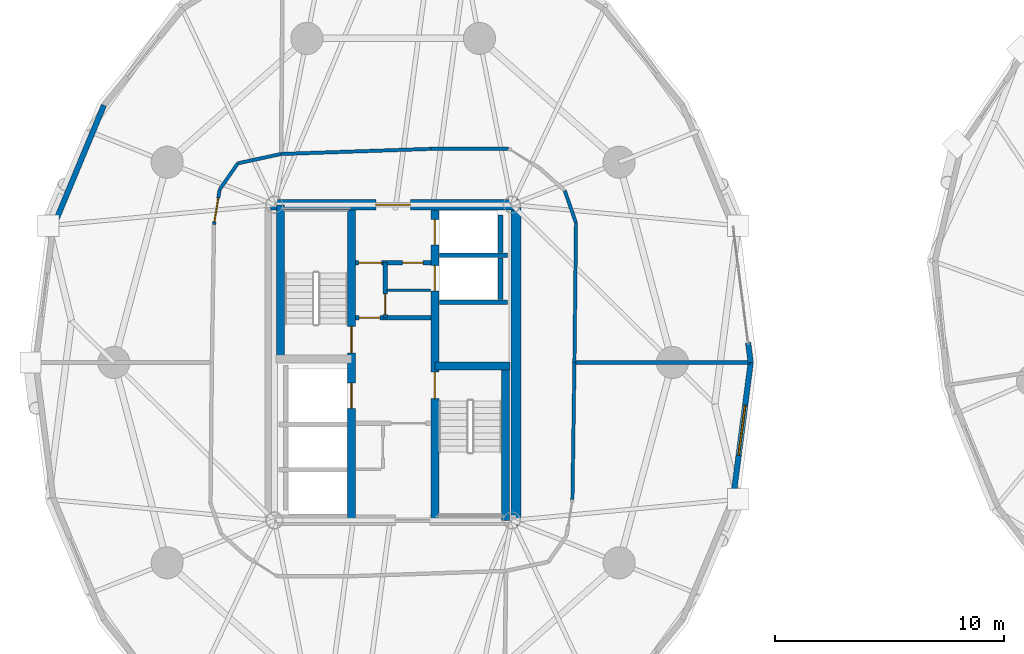
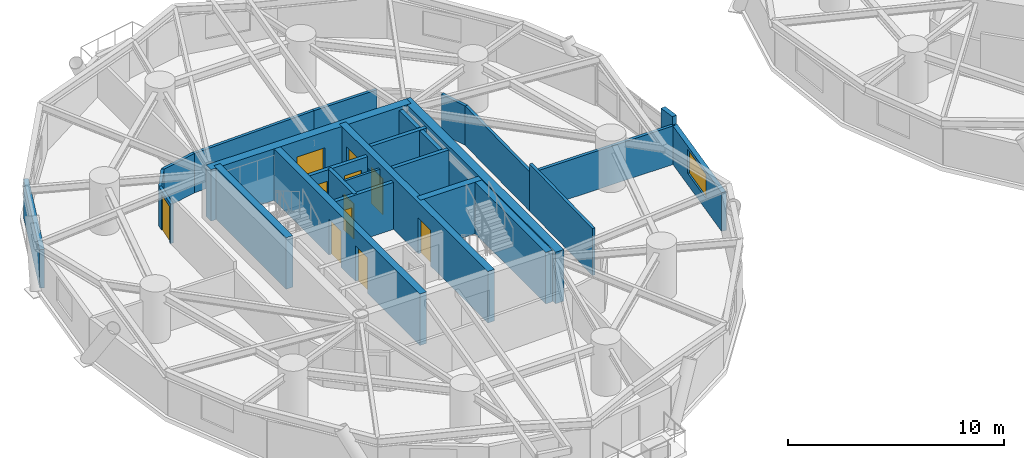
# One storey, part 11 of 18: 27 walls, 11 doors, 1 window, 12 openings.
"""IFC4 building model written with IfcOpenShell, lengths in metres."""

from ifc_helpers import new_model, si_unit, direction, frame, frame_2d, origin, place, context, subcontext, project, spatial, rectangle, extrude, source, transform, mapped, material, layer, layer_set, type_object, element, fill, save


model = new_model("IFC4")

# Units and contexts
model_context = context("Model", 3, precision=1e-05, world=origin(), true_north=direction((0.0, 1.0)))
body_context = subcontext(model_context, "Body", "Model", "MODEL_VIEW")
ifc_project = project(units=[si_unit("LENGTHUNIT", "METRE"), si_unit("AREAUNIT", "SQUARE_METRE"), si_unit("VOLUMEUNIT", "CUBIC_METRE"), si_unit("PLANEANGLEUNIT", "RADIAN"), si_unit("MASSUNIT", "GRAM", prefix="KILO")], contexts=[model_context])

# Site, building, storey
site_placement = place(None, origin())
site = spatial("IfcSite", under=ifc_project, at=site_placement, CompositionType="ELEMENT")
building_placement = place(site_placement, origin())
building = spatial("IfcBuilding", under=site, at=building_placement, Name="Cununo Teusaquillo Station Towers", CompositionType="ELEMENT")
storey_placement = place(building_placement, frame((0.0, 0.0, 75.969970703125)))
storey = spatial("IfcBuildingStorey", under=building, at=storey_placement, Name="L23", CompositionType="ELEMENT", Elevation=75.969970703125)

# Walls
ifc_material_1 = material(Name="Concrete C50/60", Category="concrete")
ifc_layer_1 = layer(ifc_material_1, 0.199951171875)
ifc_layer_set_1 = layer_set([ifc_layer_1], Name="Concrete C50/60")
wall_type_1 = type_object("IfcWallType", Name="WL-CORE-200", PredefinedType="SHEAR", material=ifc_layer_set_1)
for number, where, z_axis, x_axis, name in (
    (1, (18.510009765625, 27.1298828125, 0.0), (0.0, 0.0, 1.0), (1.0, 0.0, 0.0), "L23 Tower A Low-Rise Lift Hoistway South Shear Wall"),
    (2, (18.510009765625, 29.175048828125, 0.0), (0.0, 0.0, 1.0), (1.0, 0.0, 0.0), "L23 Tower A Low-Rise Lift Hoistway Divider Shear Wall"),
):
    element("IfcWall", number, at=place(storey_placement, frame(where, z_axis=z_axis, x_axis=x_axis)), inside=storey, type_object=wall_type_1, Name=name, PredefinedType="SHEAR", context=body_context, shape_type="SweptSolid", body=[
        extrude(rectangle(XDim=2.969970703125, YDim=0.199951171875, at=frame_2d((1.48486328125, 0.0))), origin(), (0.0, 0.0, 1.0), 2.909912109375),
    ])
wall_1_placement = place(storey_placement, frame((21.179931640625, 27.25, 0.0), z_axis=(0.0, 0.0, 1.0), x_axis=(0.0, 1.0, 0.0)))
element("IfcWall", 3, at=wall_1_placement, inside=storey, type_object=wall_type_1, Name="L23 Tower A Low-Rise Lift 1 Shaft Rear Shear Wall", PredefinedType="SHEAR", context=body_context, shape_type="SweptSolid", body=[
    extrude(rectangle(XDim=1.804931640625, YDim=0.199951171875, at=frame_2d((0.90234375, 0.0))), origin(), (0.0, 0.0, 1.0), 2.909912109375),
])
wall_2_placement = place(storey_placement, frame((21.179931640625, 29.294921875, 0.0), z_axis=(0.0, 0.0, 1.0), x_axis=(0.0, 1.0, 0.0)))
element("IfcWall", 4, at=wall_2_placement, inside=storey, type_object=wall_type_1, Name="L23 Tower A Low-Rise Lift 2 Shaft Rear Shear Wall", PredefinedType="SHEAR", context=body_context, shape_type="SweptSolid", body=[
    extrude(rectangle(XDim=1.635009765625, YDim=0.199951171875, at=frame_2d((0.8173828125, 0.0))), origin(), (0.0, 0.0, 1.0), 2.909912109375),
])

# Wall, openings, doors
ifc_material_2 = material(Name="Concrete C50/60", Category="concrete")
ifc_layer_2 = layer(ifc_material_2, 0.35009765625)
ifc_layer_set_2 = layer_set([ifc_layer_2], Name="Concrete C50/60")
wall_type_2 = type_object("IfcWallType", Name="WL-CORE-350", PredefinedType="SHEAR", material=ifc_layer_set_2)
wall_3_placement = place(storey_placement, frame((14.68505859375, 17.625, 0.0), z_axis=(0.0, 0.0, 1.0), x_axis=(0.0, 1.0, 0.0)))
wall_3 = element("IfcWall", 5, at=wall_3_placement, inside=storey, type_object=wall_type_2, Name="L23 Tower A Core Shear Wall IW", PredefinedType="SHEAR", context=body_context, shape_type="SweptSolid", body=[
    extrude(rectangle(XDim=13.75, YDim=0.35009765625, at=frame_2d((6.875, 0.0))), origin(), (0.0, 0.0, 1.0), 2.909912109375),
])
shared_shape_1 = source(origin(), body_context, "Body", "SweptSolid", [
    extrude(rectangle(XDim=1.10009765625, YDim=2.014892578125, at=frame_2d((0.550048828125, 1.00732421875))), frame((0.0, 0.18505859375, 0.0), z_axis=(0.0, -1.0, 0.0), x_axis=(1.0, 0.0, 0.0)), (0.0, 0.0, 1.0), 0.3701171875),
])
opening_1_placement = place(wall_3_placement, frame((4.875, 0.0, 0.0)))
opening_1 = element("IfcOpeningElement", 6, at=opening_1_placement, cuts=wall_3, Name="Opening LD-01", PredefinedType="OPENING", context=body_context, shape_type="MappedRepresentation", body=[
    mapped(shared_shape_1, transform((0.0, 0.0, 0.0), x_axis=(1.0, 0.0, 0.0), y_axis=(0.0, 1.0, 0.0), z_axis=(0.0, 0.0, 1.0), scale=1.0)),
])
shared_shape_2 = source(origin(), body_context, "Body", "SweptSolid", [
    extrude(rectangle(XDim=1.14990234375, YDim=2.02001953125, at=frame_2d((0.574951171875, 1.010009765625))), frame((0.0, 0.18505859375, 0.0), z_axis=(0.0, -1.0, 0.0), x_axis=(1.0, 0.0, 0.0)), (0.0, 0.0, 1.0), 0.3701171875),
])
opening_2_placement = place(wall_3_placement, frame((7.294921875, 0.0, 0.0)))
opening_2 = element("IfcOpeningElement", 7, at=opening_2_placement, cuts=wall_3, Name="Opening D-ST1", PredefinedType="OPENING", context=body_context, shape_type="MappedRepresentation", body=[
    mapped(shared_shape_2, transform((0.0, 0.0, 0.0), x_axis=(1.0, 0.0, 0.0), y_axis=(0.0, 1.0, 0.0), z_axis=(0.0, 0.0, 1.0), scale=1.0)),
])
ifc_material_3 = material(Name="Galvanised fire-rated hollow steel door assembly", Category="steel")
door_type_1 = type_object("IfcDoorType", Name="DR-LIFT-1100", OperationType="SLIDING_TO_LEFT", PredefinedType="DOOR", material=ifc_material_3)
shared_shape_3 = source(origin(), body_context, "Body", "SweptSolid", [
    extrude(rectangle(XDim=1.10009765625, YDim=2.014892578125, at=frame_2d((0.550048828125, 1.00732421875))), frame((0.0, 0.02490234375, 0.0), z_axis=(0.0, -1.0, 0.0), x_axis=(1.0, 0.0, 0.0)), (0.0, 0.0, 1.0), 0.050048828125),
])
door_1_placement = place(opening_1_placement, origin())
door_1 = element("IfcDoor", 8, at=door_1_placement, inside=storey, type_object=door_type_1, Name="L23 Lift FL-T1 Sliding Landing Door", OperationType="SLIDING_TO_RIGHT", OverallHeight=2.014892578125, OverallWidth=1.10009765625, PredefinedType="DOOR", context=body_context, shape_type="MappedRepresentation", body=[
    mapped(shared_shape_3, transform((0.0, 0.0, 0.0), x_axis=(1.0, 0.0, 0.0), y_axis=(0.0, 1.0, 0.0), z_axis=(0.0, 0.0, 1.0), scale=1.0)),
])
fill(opening_1, door_1)
ifc_material_4 = material(Name="Galvanised fire-rated hollow steel door assembly", Category="steel")
door_type_2 = type_object("IfcDoorType", Name="DR-STAIR-1150", OperationType="NOTDEFINED", PredefinedType="DOOR", material=ifc_material_4)
shared_shape_4 = source(origin(), body_context, "Body", "SweptSolid", [
    extrude(rectangle(XDim=1.14990234375, YDim=2.02001953125, at=frame_2d((0.574951171875, 1.010009765625))), frame((0.0, 0.02490234375, 0.0), z_axis=(0.0, -1.0, 0.0), x_axis=(1.0, 0.0, 0.0)), (0.0, 0.0, 1.0), 0.050048828125),
])
door_2_placement = place(opening_2_placement, origin())
door_2 = element("IfcDoor", 9, at=door_2_placement, inside=storey, type_object=door_type_2, Name="L23 Tower A Exit Stair 1 Fire Door", OperationType="SINGLE_SWING_LEFT", OverallHeight=2.02001953125, OverallWidth=1.14990234375, PredefinedType="DOOR", context=body_context, shape_type="MappedRepresentation", body=[
    mapped(shared_shape_4, transform((0.0, 0.0, 0.0), x_axis=(1.0, 0.0, 0.0), y_axis=(0.0, 1.0, 0.0), z_axis=(0.0, 0.0, 1.0), scale=1.0)),
])
fill(opening_2, door_2)

wall_4_placement = place(storey_placement, frame((18.31494140625, 17.625, 0.0), z_axis=(0.0, 0.0, 1.0), x_axis=(0.0, 1.0, 0.0)))
wall_4 = element("IfcWall", 10, at=wall_4_placement, inside=storey, type_object=wall_type_2, Name="L23 Tower A Core Shear Wall IE", PredefinedType="SHEAR", context=body_context, shape_type="SweptSolid", body=[
    extrude(rectangle(XDim=13.75, YDim=0.35009765625, at=frame_2d((6.875, 0.0))), origin(), (0.0, 0.0, 1.0), 2.909912109375),
])
opening_3_placement = place(wall_4_placement, frame((10.0, 0.0, 0.0)))
opening_3 = element("IfcOpeningElement", 11, at=opening_3_placement, cuts=wall_4, Name="Opening LD-01", PredefinedType="OPENING", context=body_context, shape_type="MappedRepresentation", body=[
    mapped(shared_shape_1, transform((0.0, 0.0, 0.0), x_axis=(1.0, 0.0, 0.0), y_axis=(0.0, 1.0, 0.0), z_axis=(0.0, 0.0, 1.0), scale=1.0)),
])
opening_4_placement = place(wall_4_placement, frame((12.0, 0.0, 0.0)))
opening_4 = element("IfcOpeningElement", 12, at=opening_4_placement, cuts=wall_4, Name="Opening LD-01", PredefinedType="OPENING", context=body_context, shape_type="MappedRepresentation", body=[
    mapped(shared_shape_1, transform((0.0, 0.0, 0.0), x_axis=(1.0, 0.0, 0.0), y_axis=(0.0, 1.0, 0.0), z_axis=(0.0, 0.0, 1.0), scale=1.0)),
])
opening_5_placement = place(wall_4_placement, frame((5.304931640625, 0.0, 0.0)))
opening_5 = element("IfcOpeningElement", 13, at=opening_5_placement, cuts=wall_4, Name="Opening D-ST1", PredefinedType="OPENING", context=body_context, shape_type="MappedRepresentation", body=[
    mapped(shared_shape_2, transform((0.0, 0.0, 0.0), x_axis=(1.0, 0.0, 0.0), y_axis=(0.0, 1.0, 0.0), z_axis=(0.0, 0.0, 1.0), scale=1.0)),
])
door_3_placement = place(opening_3_placement, origin())
door_3 = element("IfcDoor", 14, at=door_3_placement, inside=storey, type_object=door_type_1, Name="L23 Lift PL-T1-L1 Sliding Landing Door", OperationType="SLIDING_TO_RIGHT", OverallHeight=2.014892578125, OverallWidth=1.10009765625, PredefinedType="DOOR", context=body_context, shape_type="MappedRepresentation", body=[
    mapped(shared_shape_3, transform((0.0, 0.0, 0.0), x_axis=(1.0, 0.0, 0.0), y_axis=(0.0, 1.0, 0.0), z_axis=(0.0, 0.0, 1.0), scale=1.0)),
])
fill(opening_3, door_3)
door_4_placement = place(opening_4_placement, origin())
door_4 = element("IfcDoor", 15, at=door_4_placement, inside=storey, type_object=door_type_1, Name="L23 Lift PL-T1-L2 Sliding Landing Door", OperationType="SLIDING_TO_LEFT", OverallHeight=2.014892578125, OverallWidth=1.10009765625, PredefinedType="DOOR", context=body_context, shape_type="MappedRepresentation", body=[
    mapped(shared_shape_3, transform((0.0, 0.0, 0.0), x_axis=(1.0, 0.0, 0.0), y_axis=(0.0, 1.0, 0.0), z_axis=(0.0, 0.0, 1.0), scale=1.0)),
])
fill(opening_4, door_4)
door_5_placement = place(opening_5_placement, origin())
door_5 = element("IfcDoor", 16, at=door_5_placement, inside=storey, type_object=door_type_2, Name="L23 Tower A Exit Stair 2 Fire Door", OperationType="SINGLE_SWING_RIGHT", OverallHeight=2.02001953125, OverallWidth=1.14990234375, PredefinedType="DOOR", context=body_context, shape_type="MappedRepresentation", body=[
    mapped(shared_shape_4, transform((0.0, 0.0, 0.0), x_axis=(1.0, 0.0, 0.0), y_axis=(0.0, 1.0, 0.0), z_axis=(0.0, 0.0, 1.0), scale=1.0)),
])
fill(opening_5, door_5)

# Walls
for number, where, z_axis, x_axis, name in (
    (17, (11.594970703125, 24.655029296875, 0.0), (0.0, 0.0, 1.0), (0.0, 1.0, 0.0), "L23 Tower A Core Shear Wall ST1W"),
    (18, (21.405029296875, 17.625, 0.0), (0.0, 0.0, 1.0), (0.0, 1.0, 0.0), "L23 Tower A Core Shear Wall ST2E"),
):
    element("IfcWall", number, at=place(storey_placement, frame(where, z_axis=z_axis, x_axis=x_axis)), inside=storey, type_object=wall_type_2, Name=name, PredefinedType="SHEAR", context=body_context, shape_type="SweptSolid", body=[
        extrude(rectangle(XDim=6.719970703125, YDim=0.35009765625, at=frame_2d((3.35986328125, 0.0))), origin(), (0.0, 0.0, 1.0), 2.909912109375),
    ])
wall_5_placement = place(storey_placement, frame((18.31494140625, 24.344970703125, 0.0), z_axis=(0.0, 0.0, 1.0), x_axis=(1.0, 0.0, 0.0)))
element("IfcWall", 19, at=wall_5_placement, inside=storey, type_object=wall_type_2, Name="L23 Tower A Core Shear Wall ST2N", PredefinedType="SHEAR", context=body_context, shape_type="SweptSolid", body=[
    extrude(rectangle(XDim=3.28515625, YDim=0.35009765625, at=frame_2d((1.642578125, 0.0))), origin(), (0.0, 0.0, 1.0), 2.909912109375),
])
ifc_material_5 = material(Name="Concrete C60/75", Category="concrete")
ifc_layer_3 = layer(ifc_material_5, 0.449951171875)
ifc_layer_set_3 = layer_set([ifc_layer_3], Name="Concrete C60/75")
wall_type_3 = type_object("IfcWallType", Name="WL-CORE-450", PredefinedType="SHEAR", material=ifc_layer_set_3)
wall_6_placement = place(storey_placement, frame((21.85009765625, 17.39990234375, 0.0), z_axis=(0.0, 0.0, 1.0), x_axis=(0.0, 1.0, 0.0)))
element("IfcWall", 20, at=wall_6_placement, inside=storey, type_object=wall_type_3, Name="L23 Tower A Core Shear Wall E", PredefinedType="SHEAR", context=body_context, shape_type="SweptSolid", body=[
    extrude(rectangle(XDim=14.2001953125, YDim=0.449951171875, at=frame_2d((7.10009765625, 0.0))), origin(), (0.0, 0.0, 1.0), 2.909912109375),
])

# Wall, opening, door
wall_7_placement = place(storey_placement, frame((11.14990234375, 31.375, 0.0), z_axis=(0.0, 0.0, 1.0), x_axis=(1.0, 0.0, 0.0)))
wall_7 = element("IfcWall", 21, at=wall_7_placement, inside=storey, type_object=wall_type_3, Name="L23 Tower A Core Shear Wall N", PredefinedType="SHEAR", context=body_context, shape_type="SweptSolid", body=[
    extrude(rectangle(XDim=10.7001953125, YDim=0.449951171875, at=frame_2d((5.35009765625, 0.0))), origin(), (0.0, 0.0, 1.0), 2.909912109375),
])
shared_shape_5 = source(origin(), body_context, "Body", "SweptSolid", [
    extrude(rectangle(XDim=1.5, YDim=2.02001953125, at=frame_2d((0.75, 1.010009765625))), frame((0.0, 0.23486328125, 0.0), z_axis=(0.0, -1.0, 0.0), x_axis=(1.0, 0.0, 0.0)), (0.0, 0.0, 1.0), 0.469970703125),
])
opening_6_placement = place(wall_7_placement, frame((4.60009765625, 0.0, 0.0)))
opening_6 = element("IfcOpeningElement", 22, at=opening_6_placement, cuts=wall_7, Name="Opening D-LB1", PredefinedType="OPENING", context=body_context, shape_type="MappedRepresentation", body=[
    mapped(shared_shape_5, transform((0.0, 0.0, 0.0), x_axis=(1.0, 0.0, 0.0), y_axis=(0.0, 1.0, 0.0), z_axis=(0.0, 0.0, 1.0), scale=1.0)),
])
ifc_material_6 = material(Name="Galvanised fire-rated hollow steel door assembly", Category="steel")
door_type_3 = type_object("IfcDoorType", Name="DR-LOBBY-1500", OperationType="DOUBLE_DOOR_SINGLE_SWING", PredefinedType="DOOR", material=ifc_material_6)
shared_shape_6 = source(origin(), body_context, "Body", "SweptSolid", [
    extrude(rectangle(XDim=1.5, YDim=2.02001953125, at=frame_2d((0.75, 1.010009765625))), frame((0.0, 0.02490234375, 0.0), z_axis=(0.0, -1.0, 0.0), x_axis=(1.0, 0.0, 0.0)), (0.0, 0.0, 1.0), 0.050048828125),
])
door_6_placement = place(opening_6_placement, origin())
door_6 = element("IfcDoor", 23, at=door_6_placement, inside=storey, type_object=door_type_3, Name="L23 Tower A North Core Lift Lobby Door", OperationType="DOUBLE_DOOR_SINGLE_SWING", OverallHeight=2.02001953125, OverallWidth=1.5, PredefinedType="DOOR", context=body_context, shape_type="MappedRepresentation", body=[
    mapped(shared_shape_6, transform((0.0, 0.0, 0.0), x_axis=(1.0, 0.0, 0.0), y_axis=(0.0, 1.0, 0.0), z_axis=(0.0, 0.0, 1.0), scale=1.0)),
])
fill(opening_6, door_6)

# Walls
ifc_material_7 = material(Name="Precast concrete C40/50", Category="concrete")
ifc_layer_4 = layer(ifc_material_7, 0.239990234375)
ifc_layer_set_4 = layer_set([ifc_layer_4], Name="Precast concrete C40/50")
wall_type_4 = type_object("IfcWallType", Name="WL-EXT-240", PredefinedType="SOLIDWALL", material=ifc_layer_set_4)
wall_8_placement = place(storey_placement, frame((31.96923828125, 25.36279296875, 0.0), z_axis=(0.0, 0.0, 1.0), x_axis=(0.128523364007, -0.991706481225, 0.0)))
element("IfcWall", 24, at=wall_8_placement, inside=storey, type_object=wall_type_4, Name="L23 Tower A Column Pier Cladding Wall C00-PB", PredefinedType="SOLIDWALL", context=body_context, shape_type="SweptSolid", body=[
    extrude(rectangle(XDim=0.8701171875, YDim=0.239990234375, at=frame_2d((0.43505859375, 0.0))), origin(), (0.0, 0.0, 1.0), 2.655029296875),
])
wall_9_placement = place(storey_placement, frame((1.681640625, 30.39306640625, 0.0), z_axis=(0.0, 0.0, 1.0), x_axis=(0.384344417632, 0.923189779317, 0.0)))
element("IfcWall", 25, at=wall_9_placement, inside=storey, type_object=wall_type_4, Name="L23 Tower A Exterior Facade Wall C08", PredefinedType="SOLIDWALL", context=body_context, shape_type="SweptSolid", body=[
    extrude(rectangle(XDim=5.75830078125, YDim=0.239990234375, at=frame_2d((2.879150390625, 0.0))), origin(), (0.0, 0.0, 1.0), 2.178955078125),
])

# Wall, opening, window
wall_10_placement = place(storey_placement, frame((32.0810546875, 24.5, 0.0), z_axis=(0.0, 0.0, 1.0), x_axis=(-0.128351991996, -0.991728675672, 0.0)))
wall_10 = element("IfcWall", 26, at=wall_10_placement, inside=storey, type_object=wall_type_4, Name="L23 Tower A Exterior Facade Wall C19", PredefinedType="SOLIDWALL", context=body_context, shape_type="SweptSolid", body=[
    extrude(rectangle(XDim=5.942138671875, YDim=0.239990234375, at=frame_2d((2.97119140625, 0.0))), origin(), (0.0, 0.0, 1.0), 2.178955078125),
])
shared_shape_7 = source(origin(), body_context, "Body", "SweptSolid", [
    extrude(rectangle(XDim=2.199951171875, YDim=1.35009765625, at=frame_2d((1.10009765625, 0.675048828125))), frame((0.0, 0.1298828125, 0.0), z_axis=(0.0, -1.0, 0.0), x_axis=(1.0, 0.0, 0.0)), (0.0, 0.0, 1.0), 0.260009765625),
])
opening_7_placement = place(wall_10_placement, frame((1.87109375, 0.0, 0.64990234375)))
opening_7 = element("IfcOpeningElement", 27, at=opening_7_placement, cuts=wall_10, Name="Opening WN-01", PredefinedType="OPENING", context=body_context, shape_type="MappedRepresentation", body=[
    mapped(shared_shape_7, transform((0.0, 0.0, 0.0), x_axis=(1.0, 0.0, 0.0), y_axis=(0.0, 1.0, 0.0), z_axis=(0.0, 0.0, 1.0), scale=1.0)),
])
ifc_material_8 = material(Name="Ceramic-fritted dark low-E double glazing", Category="glass")
window_type = type_object("IfcWindowType", Name="WIN-FRIT-2200", PartitioningType="DOUBLE_PANEL_VERTICAL", PredefinedType="WINDOW", material=ifc_material_8)
shared_shape_8 = source(origin(), body_context, "Body", "SweptSolid", [
    extrude(rectangle(XDim=2.199951171875, YDim=1.35009765625, at=frame_2d((1.10009765625, 0.675048828125))), frame((0.0, 0.030029296875, 0.0), z_axis=(0.0, -1.0, 0.0), x_axis=(1.0, 0.0, 0.0)), (0.0, 0.0, 1.0), 0.06005859375),
])
window_placement = place(opening_7_placement, origin())
window = element("IfcWindow", 28, at=window_placement, inside=storey, type_object=window_type, Name="L23 Tower A Facade Window C19", OverallHeight=1.35009765625, OverallWidth=2.199951171875, PartitioningType="DOUBLE_PANEL_VERTICAL", PredefinedType="WINDOW", context=body_context, shape_type="MappedRepresentation", body=[
    mapped(shared_shape_8, transform((0.0, 0.0, 0.0), x_axis=(1.0, 0.0, 0.0), y_axis=(0.0, 1.0, 0.0), z_axis=(0.0, 0.0, 1.0), scale=1.0)),
])
fill(opening_7, window)

# Walls
ifc_material_9 = material(Name="Fire-rated gypsum plasterboard partition assembly", Category="gypsum")
ifc_layer_5 = layer(ifc_material_9, 0.125)
ifc_layer_set_5 = layer_set([ifc_layer_5], Name="Fire-rated gypsum plasterboard partition assembly")
wall_type_5 = type_object("IfcWallType", Name="WL-PART-125", PredefinedType="PARTITIONING", material=ifc_layer_set_5)
wall_11_placement = place(storey_placement, frame((16.239990234375, 27.64990234375, 0.0), z_axis=(0.0, 0.0, 1.0), x_axis=(1.0, 0.0, 0.0)))
element("IfcWall", 29, at=wall_11_placement, inside=storey, type_object=wall_type_5, Name="L23 Tower A Core Horizontal Split Wall", PredefinedType="PARTITIONING", context=body_context, shape_type="SweptSolid", body=[
    extrude(rectangle(XDim=1.880126953125, YDim=0.125, at=frame_2d((0.93994140625, 0.0))), origin(), (0.0, 0.0, 1.0), 2.655029296875),
])
ifc_material_10 = material(Name="Fire-rated gypsum plasterboard partition assembly", Category="gypsum")
ifc_layer_6 = layer(ifc_material_10, 0.14990234375)
ifc_layer_set_6 = layer_set([ifc_layer_6], Name="Fire-rated gypsum plasterboard partition assembly")
wall_type_6 = type_object("IfcWallType", Name="WL-PART-150", PredefinedType="PARTITIONING", material=ifc_layer_set_6)
wall_12_placement = place(storey_placement, frame((24.39990234375, 24.5, 0.0), z_axis=(0.0, 0.0, 1.0), x_axis=(0.011359710161, 0.999935476411, 0.0)))
element("IfcWall", 30, at=wall_12_placement, inside=storey, type_object=wall_type_6, Name="L23 Tower A Corridor Ring Wall C00", PredefinedType="PARTITIONING", context=body_context, shape_type="SweptSolid", body=[
    extrude(rectangle(XDim=6.082275390625, YDim=0.14990234375, at=frame_2d((3.041015625, 0.0))), origin(), (0.0, 0.0, 1.0), 2.22509765625),
])
wall_13_placement = place(storey_placement, frame((24.468994140625, 30.581787109375, 0.0), z_axis=(0.0, 0.0, 1.0), x_axis=(-0.328902536986, 0.944363871166, 0.0)))
element("IfcWall", 31, at=wall_13_placement, inside=storey, type_object=wall_type_6, Name="L23 Tower A Corridor Ring Wall C01", PredefinedType="PARTITIONING", context=body_context, shape_type="SweptSolid", body=[
    extrude(rectangle(XDim=1.487548828125, YDim=0.14990234375, at=frame_2d((0.74365234375, 0.0))), origin(), (0.0, 0.0, 1.0), 2.22509765625),
])
wall_14_placement = place(storey_placement, frame((21.52685546875, 33.82421875, 0.0), z_axis=(0.0, 0.0, 1.0), x_axis=(-0.999990631344, -0.00432865146, 0.0)))
element("IfcWall", 32, at=wall_14_placement, inside=storey, type_object=wall_type_6, Name="L23 Tower A Corridor Ring Wall C04", PredefinedType="PARTITIONING", context=body_context, shape_type="SweptSolid", body=[
    extrude(rectangle(XDim=3.384033203125, YDim=0.14990234375, at=frame_2d((1.69189453125, 0.0))), origin(), (0.0, 0.0, 1.0), 2.22509765625),
])
wall_15_placement = place(storey_placement, frame((18.142822265625, 33.8095703125, 0.0), z_axis=(0.0, 0.0, 1.0), x_axis=(-0.999423023908, -0.033964971394, 0.0)))
element("IfcWall", 33, at=wall_15_placement, inside=storey, type_object=wall_type_6, Name="L23 Tower A Corridor Ring Wall C05", PredefinedType="PARTITIONING", context=body_context, shape_type="SweptSolid", body=[
    extrude(rectangle(XDim=6.526611328125, YDim=0.14990234375, at=frame_2d((3.26318359375, 0.0))), origin(), (0.0, 0.0, 1.0), 2.22509765625),
])
wall_16_placement = place(storey_placement, frame((11.619873046875, 33.587890625, 0.0), z_axis=(0.0, 0.0, 1.0), x_axis=(-0.977392314559, -0.211433827571, 0.0)))
element("IfcWall", 34, at=wall_16_placement, inside=storey, type_object=wall_type_6, Name="L23 Tower A Corridor Ring Wall C06", PredefinedType="PARTITIONING", context=body_context, shape_type="SweptSolid", body=[
    extrude(rectangle(XDim=1.93408203125, YDim=0.14990234375, at=frame_2d((0.967041015625, 0.0))), origin(), (0.0, 0.0, 1.0), 2.22509765625),
])
wall_17_placement = place(storey_placement, frame((9.7294921875, 33.178955078125, 0.0), z_axis=(0.0, 0.0, 1.0), x_axis=(-0.569155068352, -0.822230203878, 0.0)))
element("IfcWall", 35, at=wall_17_placement, inside=storey, type_object=wall_type_6, Name="L23 Tower A Corridor Ring Wall C07", PredefinedType="PARTITIONING", context=body_context, shape_type="SweptSolid", body=[
    extrude(rectangle(XDim=1.38720703125, YDim=0.14990234375, at=frame_2d((0.693603515625, 0.0))), origin(), (0.0, 0.0, 1.0), 2.22509765625),
])

# Wall, opening, door
wall_18_placement = place(storey_placement, frame((8.93994140625, 32.038330078125, 0.0), z_axis=(0.0, 0.0, 1.0), x_axis=(-0.159917336462, -0.987130409571, 0.0)))
wall_18 = element("IfcWall", 36, at=wall_18_placement, inside=storey, type_object=wall_type_6, Name="L23 Tower A Corridor Ring Wall C08", PredefinedType="PARTITIONING", context=body_context, shape_type="SweptSolid", body=[
    extrude(rectangle(XDim=1.546630859375, YDim=0.14990234375, at=frame_2d((0.7734375, 0.0))), origin(), (0.0, 0.0, 1.0), 2.22509765625),
])
shared_shape_9 = source(origin(), body_context, "Body", "SweptSolid", [
    extrude(rectangle(XDim=1.050048828125, YDim=2.014892578125, at=frame_2d((0.52490234375, 1.00732421875))), frame((0.0, 0.0849609375, 0.0), z_axis=(0.0, -1.0, 0.0), x_axis=(1.0, 0.0, 0.0)), (0.0, 0.0, 1.0), 0.169921875),
])
opening_8_placement = place(wall_18_placement, frame((0.376708984375, 0.0, 0.0)))
opening_8 = element("IfcOpeningElement", 37, at=opening_8_placement, cuts=wall_18, Name="Opening D-SU1", PredefinedType="OPENING", context=body_context, shape_type="MappedRepresentation", body=[
    mapped(shared_shape_9, transform((0.0, 0.0, 0.0), x_axis=(1.0, 0.0, 0.0), y_axis=(0.0, 1.0, 0.0), z_axis=(0.0, 0.0, 1.0), scale=1.0)),
])
ifc_material_11 = material(Name="Acoustic solid-core hardwood leaf assembly", Category="wood")
door_type_4 = type_object("IfcDoorType", Name="DR-SUITE-1050", OperationType="NOTDEFINED", PredefinedType="DOOR", material=ifc_material_11)
shared_shape_10 = source(origin(), body_context, "Body", "SweptSolid", [
    extrude(rectangle(XDim=1.050048828125, YDim=2.014892578125, at=frame_2d((0.52490234375, 1.00732421875))), frame((0.0, 0.02490234375, 0.0), z_axis=(0.0, -1.0, 0.0), x_axis=(1.0, 0.0, 0.0)), (0.0, 0.0, 1.0), 0.050048828125),
])
door_7_placement = place(opening_8_placement, origin())
door_7 = element("IfcDoor", 38, at=door_7_placement, inside=storey, type_object=door_type_4, Name="L23 Tower A West Project Collaboration Hub Entrance Door", OperationType="SINGLE_SWING_LEFT", OverallHeight=2.014892578125, OverallWidth=1.050048828125, PredefinedType="DOOR", context=body_context, shape_type="MappedRepresentation", body=[
    mapped(shared_shape_10, transform((0.0, 0.0, 0.0), x_axis=(1.0, 0.0, 0.0), y_axis=(0.0, 1.0, 0.0), z_axis=(0.0, 0.0, 1.0), scale=1.0)),
])
fill(opening_8, door_7)

# Walls
wall_19_placement = place(storey_placement, frame((24.3134765625, 18.52880859375, 0.0), z_axis=(0.0, 0.0, 1.0), x_axis=(0.014472275982, 0.99989527113, 0.0)))
element("IfcWall", 39, at=wall_19_placement, inside=storey, type_object=wall_type_6, Name="L23 Tower A Corridor Ring Wall C19", PredefinedType="PARTITIONING", context=body_context, shape_type="SweptSolid", body=[
    extrude(rectangle(XDim=5.971923828125, YDim=0.14990234375, at=frame_2d((2.98583984375, 0.0))), origin(), (0.0, 0.0, 1.0), 2.655029296875),
])
ifc_material_12 = material(Name="Fire-rated gypsum plasterboard partition assembly", Category="gypsum")
ifc_layer_7 = layer(ifc_material_12, 0.159912109375)
ifc_layer_set_7 = layer_set([ifc_layer_7], Name="Fire-rated gypsum plasterboard partition assembly")
wall_type_7 = type_object("IfcWallType", Name="WL-PART-160", PredefinedType="PARTITIONING", material=ifc_layer_set_7)
wall_20_placement = place(storey_placement, frame((24.39990234375, 24.5, 0.0), z_axis=(0.0, 0.0, 1.0), x_axis=(1.0, 0.0, 0.0)))
element("IfcWall", 40, at=wall_20_placement, inside=storey, type_object=wall_type_7, Name="L23 Tower A Radial Suite Partition R01", PredefinedType="PARTITIONING", context=body_context, shape_type="SweptSolid", body=[
    extrude(rectangle(XDim=7.6611328125, YDim=0.159912109375, at=frame_2d((3.83056640625, 0.0))), origin(), (0.0, 0.0, 1.0), 2.178955078125),
])

# Wall, opening, door
ifc_material_13 = material(Name="Fire-rated gypsum plasterboard partition assembly", Category="gypsum")
ifc_layer_8 = layer(ifc_material_13, 0.199951171875)
ifc_layer_set_8 = layer_set([ifc_layer_8], Name="Fire-rated gypsum plasterboard partition assembly")
wall_type_8 = type_object("IfcWallType", Name="WL-PART-200", PredefinedType="PARTITIONING", material=ifc_layer_set_8)
wall_21_placement = place(storey_placement, frame((14.860107421875, 26.449951171875, 0.0), z_axis=(0.0, 0.0, 1.0), x_axis=(1.0, 0.0, 0.0)))
wall_21 = element("IfcWall", 41, at=wall_21_placement, inside=storey, type_object=wall_type_8, Name="L23 Tower A Firefighting Lift Lobby North Fire Wall", PredefinedType="PARTITIONING", context=body_context, shape_type="SweptSolid", body=[
    extrude(rectangle(XDim=3.27978515625, YDim=0.199951171875, at=frame_2d((1.639892578125, 0.0))), origin(), (0.0, 0.0, 1.0), 2.655029296875),
])
shared_shape_11 = source(origin(), body_context, "Body", "SweptSolid", [
    extrude(rectangle(XDim=0.89990234375, YDim=2.0048828125, at=frame_2d((0.449951171875, 1.00244140625))), frame((0.0, 0.10986328125, 0.0), z_axis=(0.0, -1.0, 0.0), x_axis=(1.0, 0.0, 0.0)), (0.0, 0.0, 1.0), 0.219970703125),
])
opening_9_placement = place(wall_21_placement, frame((0.159912109375, 0.0, 0.0)))
opening_9 = element("IfcOpeningElement", 42, at=opening_9_placement, cuts=wall_21, Name="Opening D-SR1", PredefinedType="OPENING", context=body_context, shape_type="MappedRepresentation", body=[
    mapped(shared_shape_11, transform((0.0, 0.0, 0.0), x_axis=(1.0, 0.0, 0.0), y_axis=(0.0, 1.0, 0.0), z_axis=(0.0, 0.0, 1.0), scale=1.0)),
])
ifc_material_14 = material(Name="Galvanised fire-rated hollow steel door assembly", Category="steel")
door_type_5 = type_object("IfcDoorType", Name="DR-STORE-900", OperationType="NOTDEFINED", PredefinedType="DOOR", material=ifc_material_14)
shared_shape_12 = source(origin(), body_context, "Body", "SweptSolid", [
    extrude(rectangle(XDim=0.89990234375, YDim=2.0048828125, at=frame_2d((0.449951171875, 1.00244140625))), frame((0.0, 0.02490234375, 0.0), z_axis=(0.0, -1.0, 0.0), x_axis=(1.0, 0.0, 0.0)), (0.0, 0.0, 1.0), 0.050048828125),
])
door_8_placement = place(opening_9_placement, origin())
door_8 = element("IfcDoor", 43, at=door_8_placement, inside=storey, type_object=door_type_5, Name="L23 Tower A Stair 1 Protected Vestibule South Door", OperationType="SINGLE_SWING_LEFT", OverallHeight=2.0048828125, OverallWidth=0.89990234375, PredefinedType="DOOR", context=body_context, shape_type="MappedRepresentation", body=[
    mapped(shared_shape_12, transform((0.0, 0.0, 0.0), x_axis=(1.0, 0.0, 0.0), y_axis=(0.0, 1.0, 0.0), z_axis=(0.0, 0.0, 1.0), scale=1.0)),
])
fill(opening_9, door_8)

wall_22_placement = place(storey_placement, frame((16.14990234375, 26.449951171875, 0.0), z_axis=(0.0, 0.0, 1.0), x_axis=(0.0, 1.0, 0.0)))
wall_22 = element("IfcWall", 44, at=wall_22_placement, inside=storey, type_object=wall_type_8, Name="L23 Tower A Stair 1 Vestibule Partition Wall", PredefinedType="PARTITIONING", context=body_context, shape_type="SweptSolid", body=[
    extrude(rectangle(XDim=2.400146484375, YDim=0.199951171875, at=frame_2d((1.2001953125, 0.0))), origin(), (0.0, 0.0, 1.0), 2.655029296875),
])
opening_10_placement = place(wall_22_placement, frame((0.139892578125, 0.0, 0.0)))
opening_10 = element("IfcOpeningElement", 45, at=opening_10_placement, cuts=wall_22, Name="Opening D-SR1", PredefinedType="OPENING", context=body_context, shape_type="MappedRepresentation", body=[
    mapped(shared_shape_11, transform((0.0, 0.0, 0.0), x_axis=(1.0, 0.0, 0.0), y_axis=(0.0, 1.0, 0.0), z_axis=(0.0, 0.0, 1.0), scale=1.0)),
])
door_9_placement = place(opening_10_placement, origin())
door_9 = element("IfcDoor", 46, at=door_9_placement, inside=storey, type_object=door_type_5, Name="L23 Tower A Core Linen Store Door", OperationType="SINGLE_SWING_RIGHT", OverallHeight=2.0048828125, OverallWidth=0.89990234375, PredefinedType="DOOR", context=body_context, shape_type="MappedRepresentation", body=[
    mapped(shared_shape_12, transform((0.0, 0.0, 0.0), x_axis=(1.0, 0.0, 0.0), y_axis=(0.0, 1.0, 0.0), z_axis=(0.0, 0.0, 1.0), scale=1.0)),
])
fill(opening_10, door_9)

# Wall, openings, doors
wall_23_placement = place(storey_placement, frame((14.860107421875, 28.85009765625, 0.0), z_axis=(0.0, 0.0, 1.0), x_axis=(1.0, 0.0, 0.0)))
wall_23 = element("IfcWall", 47, at=wall_23_placement, inside=storey, type_object=wall_type_8, Name="L23 Tower A North Lift Lobby South Fire Wall", PredefinedType="PARTITIONING", context=body_context, shape_type="SweptSolid", body=[
    extrude(rectangle(XDim=3.27978515625, YDim=0.199951171875, at=frame_2d((1.639892578125, 0.0))), origin(), (0.0, 0.0, 1.0), 2.655029296875),
])
shared_shape_13 = source(origin(), body_context, "Body", "SweptSolid", [
    extrude(rectangle(XDim=1.0, YDim=2.014892578125, at=frame_2d((0.5, 1.00732421875))), frame((0.0, 0.10986328125, 0.0), z_axis=(0.0, -1.0, 0.0), x_axis=(1.0, 0.0, 0.0)), (0.0, 0.0, 1.0), 0.219970703125),
])
opening_11_placement = place(wall_23_placement, frame((0.139892578125, 0.0, 0.0)))
opening_11 = element("IfcOpeningElement", 48, at=opening_11_placement, cuts=wall_23, Name="Opening D-AC1", PredefinedType="OPENING", context=body_context, shape_type="MappedRepresentation", body=[
    mapped(shared_shape_13, transform((0.0, 0.0, 0.0), x_axis=(1.0, 0.0, 0.0), y_axis=(0.0, 1.0, 0.0), z_axis=(0.0, 0.0, 1.0), scale=1.0)),
])
opening_12_placement = place(wall_23_placement, frame((2.050048828125, 0.0, 0.0)))
opening_12 = element("IfcOpeningElement", 49, at=opening_12_placement, cuts=wall_23, Name="Opening D-SR1", PredefinedType="OPENING", context=body_context, shape_type="MappedRepresentation", body=[
    mapped(shared_shape_11, transform((0.0, 0.0, 0.0), x_axis=(1.0, 0.0, 0.0), y_axis=(0.0, 1.0, 0.0), z_axis=(0.0, 0.0, 1.0), scale=1.0)),
])
door_10_placement = place(opening_12_placement, origin())
door_10 = element("IfcDoor", 50, at=door_10_placement, inside=storey, type_object=door_type_5, Name="L23 Tower A Core Comms Room Door", OperationType="SINGLE_SWING_LEFT", OverallHeight=2.0048828125, OverallWidth=0.89990234375, PredefinedType="DOOR", context=body_context, shape_type="MappedRepresentation", body=[
    mapped(shared_shape_12, transform((0.0, 0.0, 0.0), x_axis=(1.0, 0.0, 0.0), y_axis=(0.0, 1.0, 0.0), z_axis=(0.0, 0.0, 1.0), scale=1.0)),
])
fill(opening_12, door_10)
ifc_material_15 = material(Name="Acoustic solid-core hardwood leaf assembly", Category="wood")
door_type_6 = type_object("IfcDoorType", Name="DR-ACC-1000", OperationType="NOTDEFINED", PredefinedType="DOOR", material=ifc_material_15)
shared_shape_14 = source(origin(), body_context, "Body", "SweptSolid", [
    extrude(rectangle(XDim=1.0, YDim=2.014892578125, at=frame_2d((0.5, 1.00732421875))), frame((0.0, 0.02490234375, 0.0), z_axis=(0.0, -1.0, 0.0), x_axis=(1.0, 0.0, 0.0)), (0.0, 0.0, 1.0), 0.050048828125),
])
door_11_placement = place(opening_11_placement, origin())
door_11 = element("IfcDoor", 51, at=door_11_placement, inside=storey, type_object=door_type_6, Name="L23 Tower A North Lift Lobby to Stair 1 Vestibule Door", OperationType="SINGLE_SWING_RIGHT", OverallHeight=2.014892578125, OverallWidth=1.0, PredefinedType="DOOR", context=body_context, shape_type="MappedRepresentation", body=[
    mapped(shared_shape_14, transform((0.0, 0.0, 0.0), x_axis=(1.0, 0.0, 0.0), y_axis=(0.0, 1.0, 0.0), z_axis=(0.0, 0.0, 1.0), scale=1.0)),
])
fill(opening_11, door_11)

save(model, "model.ifc")
